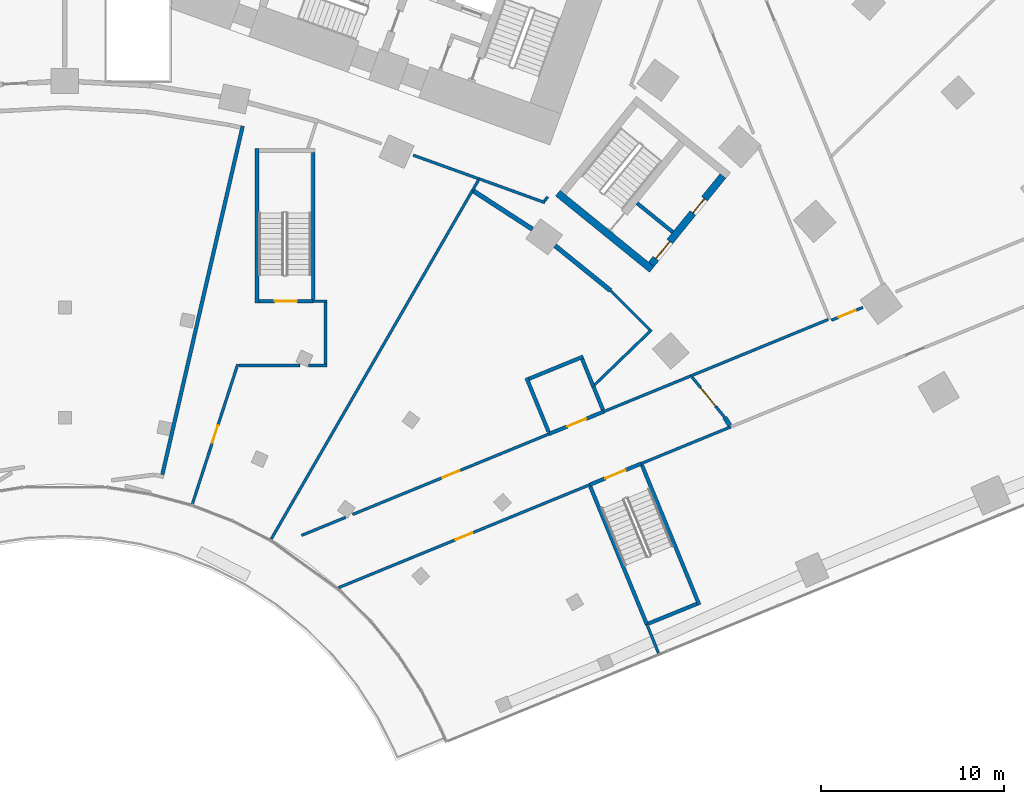
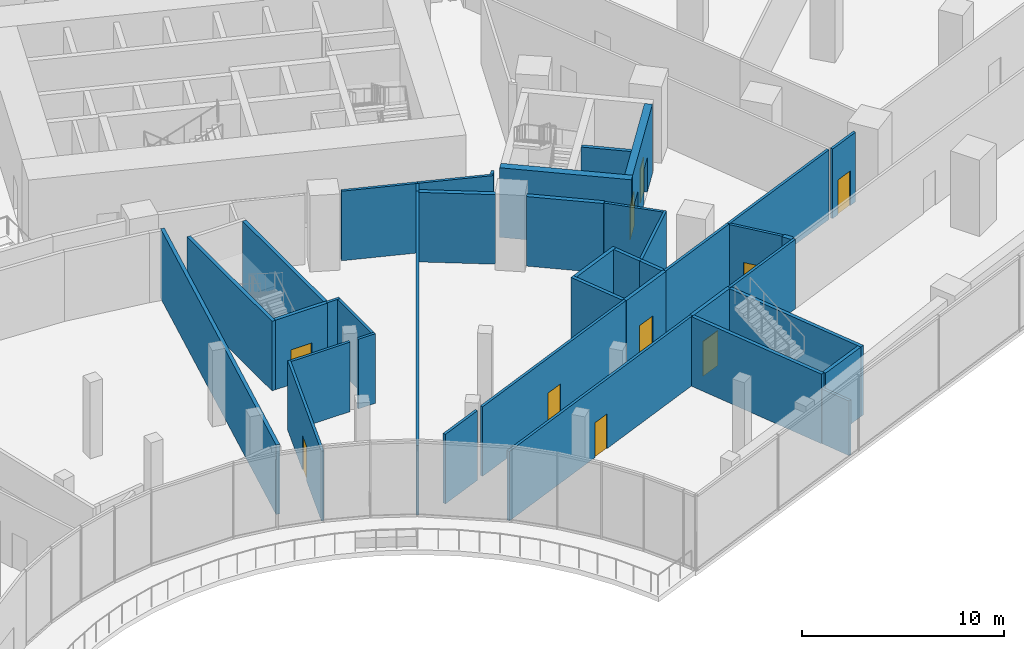
# One storey, part 25 of 40: 40 walls, 10 doors, 10 openings.
"""IFC4 building model written with IfcOpenShell, lengths in metres."""

from ifc_helpers import new_model, si_unit, direction, frame, frame_2d, origin, place, context, subcontext, project, spatial, rectangle, extrude, material, layer, layer_set, type_object, element, fill, save


model = new_model("IFC4")

# Units and contexts
model_context = context("Model", 3, precision=1e-05, world=origin(), true_north=direction((0.0, 1.0)))
body_context = subcontext(model_context, "Body", "Model", "MODEL_VIEW")
ifc_project = project(units=[si_unit("LENGTHUNIT", "METRE"), si_unit("AREAUNIT", "SQUARE_METRE"), si_unit("VOLUMEUNIT", "CUBIC_METRE"), si_unit("PLANEANGLEUNIT", "RADIAN"), si_unit("MASSUNIT", "GRAM", prefix="KILO")], contexts=[model_context])

# Site, building, storey
site_placement = place(None, origin())
site = spatial("IfcSite", under=ifc_project, at=site_placement, CompositionType="ELEMENT")
building_placement = place(site_placement, origin())
building = spatial("IfcBuilding", under=site, at=building_placement, Name="Stone Belt Terrace Tower", CompositionType="ELEMENT")
storey_placement = place(building_placement, frame((0.0, 0.0, 11.60009765625)))
storey = spatial("IfcBuildingStorey", under=building, at=storey_placement, Name="L02", CompositionType="ELEMENT", Elevation=11.60009765625)

# Walls
ifc_material_1 = material(Name="Concrete B30", Category="concrete")
ifc_layer_1 = layer(ifc_material_1, 0.25)
ifc_layer_set_1 = layer_set([ifc_layer_1], Name="Compartment wall 250")
wall_type_1 = type_object("IfcWallType", Name="Compartment wall 250", PredefinedType="SOLIDWALL", material=ifc_layer_set_1)
wall_1_placement = place(storey_placement, frame((22.282958984375, 38.44921875, 0.0), z_axis=(0.0, 0.0, 1.0), x_axis=(0.838936768681, -0.544228902351, 0.0)))
element("IfcWall", 1, at=wall_1_placement, inside=storey, type_object=wall_type_1, Name="Compartment wall L02 10", PredefinedType="SOLIDWALL", context=body_context, shape_type="SweptSolid", body=[
    extrude(rectangle(XDim=3.80908203125, YDim=0.25, at=frame_2d((1.904541015625, 0.0))), origin(), (0.0, 0.0, 1.0), 4.199951171875),
])
wall_2_placement = place(storey_placement, frame((26.72265625, 35.472412109375, 0.0), z_axis=(0.0, 0.0, 1.0), x_axis=(0.777272744525, -0.629163794746, 0.0)))
element("IfcWall", 2, at=wall_2_placement, inside=storey, type_object=wall_type_1, Name="Compartment wall L02 11", PredefinedType="SOLIDWALL", context=body_context, shape_type="SweptSolid", body=[
    extrude(rectangle(XDim=3.875244140625, YDim=0.25, at=frame_2d((1.9375, 0.0))), origin(), (0.0, 0.0, 1.0), 4.199951171875),
])
ifc_material_2 = material(Name="Fire-resistant glazing in steel frame", Category="steel")
ifc_layer_2 = layer(ifc_material_2, 0.25)
ifc_layer_set_2 = layer_set([ifc_layer_2], Name="Glazed compartment fire screen 250")
wall_type_2 = type_object("IfcWallType", Name="Glazed compartment fire screen 250", PredefinedType="PARTITIONING", material=ifc_layer_set_2)
wall_3_placement = place(storey_placement, frame((35.96337890625, 26.11474609375, 0.0), z_axis=(0.0, 0.0, 1.0), x_axis=(0.547453853433, -0.836835873013, 0.0)))
element("IfcWall", 3, at=wall_3_placement, inside=storey, type_object=wall_type_2, Name="Compartment fire screen L02 12", PredefinedType="PARTITIONING", context=body_context, shape_type="SweptSolid", body=[
    extrude(rectangle(XDim=0.5146484375, YDim=0.25, at=frame_2d((0.25732421875, 0.0))), origin(), (0.0, 0.0, 1.0), 4.199951171875),
])
ifc_material_3 = material(Name="Blockwork wall, plastered both faces", Category="masonry")
ifc_layer_3 = layer(ifc_material_3, 0.199951171875)
ifc_layer_set_3 = layer_set([ifc_layer_3], Name="Podium demising wall 200")
wall_type_3 = type_object("IfcWallType", Name="Podium demising wall 200", PredefinedType="PARTITIONING", material=ifc_layer_set_3)
wall_4_placement = place(storey_placement, frame((5.3125, 22.997314453125, 0.0), z_axis=(0.0, 0.0, 1.0), x_axis=(0.224629055361, 0.974444348071, 0.0)))
element("IfcWall", 4, at=wall_4_placement, inside=storey, type_object=wall_type_3, Name="Podium demising wall 200", PredefinedType="PARTITIONING", context=body_context, shape_type="SweptSolid", body=[
    extrude(rectangle(XDim=19.498291015625, YDim=0.199951171875, at=frame_2d((9.7490234375, 0.0))), origin(), (0.0, 0.0, 1.0), 4.199951171875),
])
ifc_material_4 = material(Name="Reinforced blockwork wall, plastered both faces", Category="masonry")
ifc_layer_4 = layer(ifc_material_4, 0.199951171875)
ifc_layer_set_4 = layer_set([ifc_layer_4], Name="Podium lift shaft wall 200")
wall_type_4 = type_object("IfcWallType", Name="Podium lift shaft wall 200", PredefinedType="SOLIDWALL", material=ifc_layer_set_4)
for number, where, z_axis, x_axis, name in (
    (5, (25.162109375, 28.272705078125, 0.0), (0.0, 0.0, 1.0), (0.378421783721, -0.925633271661, 0.0), "Podium lift shaft wall 200"),
    (6, (25.29248046875, 28.2177734375, 0.0), (0.0, 0.0, 1.0), (0.925660010793, 0.378356372246, 0.0), "Podium lift shaft wall 200"),
):
    element("IfcWall", number, at=place(storey_placement, frame(where, z_axis=z_axis, x_axis=x_axis)), inside=storey, type_object=wall_type_4, Name=name, PredefinedType="SOLIDWALL", context=body_context, shape_type="SweptSolid", body=[
        extrude(rectangle(XDim=3.197998046875, YDim=0.199951171875, at=frame_2d((1.59912109375, 0.0))), origin(), (0.0, 0.0, 1.0), 4.199951171875),
    ])

# Wall, opening, door
wall_5_placement = place(storey_placement, frame((26.409912109375, 25.219970703125, 0.0), z_axis=(0.0, 0.0, 1.0), x_axis=(0.925660010793, 0.378356372246, 0.0)))
wall_5 = element("IfcWall", 7, at=wall_5_placement, inside=storey, type_object=wall_type_4, Name="Podium lift shaft wall 200", PredefinedType="SOLIDWALL", context=body_context, shape_type="SweptSolid", body=[
    extrude(rectangle(XDim=3.197998046875, YDim=0.199951171875, at=frame_2d((1.59912109375, 0.0))), origin(), (0.0, 0.0, 1.0), 4.199951171875),
])
opening_1_placement = place(wall_5_placement, frame((1.048828125, 0.0, 0.0)))
opening_1 = element("IfcOpeningElement", 8, at=opening_1_placement, cuts=wall_5, Name="Opening L02-P10", PredefinedType="OPENING", context=body_context, shape_type="SweptSolid", body=[
    extrude(rectangle(XDim=1.10009765625, YDim=2.10009765625, at=frame_2d((0.550048828125, 1.050048828125))), frame((0.0, 0.10986328125, 0.0), z_axis=(0.0, -1.0, 0.0), x_axis=(1.0, 0.0, 0.0)), (0.0, 0.0, 1.0), 0.219970703125),
])
ifc_material_5 = material(Name="Stainless steel sliding landing door leaf", Category="steel")
door_type_1 = type_object("IfcDoorType", Name="Podium landing door 1100", OperationType="SLIDING_TO_LEFT", PredefinedType="DOOR", material=ifc_material_5)
door_1_placement = place(opening_1_placement, origin())
door_1 = element("IfcDoor", 9, at=door_1_placement, inside=storey, type_object=door_type_1, Name="Podium landing door 1100", OperationType="SLIDING_TO_LEFT", OverallHeight=2.10009765625, OverallWidth=1.10009765625, PredefinedType="DOOR", context=body_context, shape_type="SweptSolid", body=[
    extrude(rectangle(XDim=1.10009765625, YDim=2.10009765625, at=frame_2d((0.550048828125, 1.050048828125))), frame((0.0, 0.02490234375, 0.0), z_axis=(0.0, -1.0, 0.0), x_axis=(1.0, 0.0, 0.0)), (0.0, 0.0, 1.0), 0.050048828125),
])
fill(opening_1, door_1)

# Walls
wall_6_placement = place(storey_placement, frame((28.197509765625, 29.29736328125, 0.0), z_axis=(0.0, 0.0, 1.0), x_axis=(0.375479084277, -0.926830867672, 0.0)))
element("IfcWall", 10, at=wall_6_placement, inside=storey, type_object=wall_type_4, Name="Podium lift shaft wall 200", PredefinedType="SOLIDWALL", context=body_context, shape_type="SweptSolid", body=[
    extrude(rectangle(XDim=1.604736328125, YDim=0.199951171875, at=frame_2d((0.80224609375, 0.0))), origin(), (0.0, 0.0, 1.0), 4.199951171875),
])
wall_7_placement = place(storey_placement, frame((28.80419921875, 27.8095703125, 0.0), z_axis=(0.0, 0.0, 1.0), x_axis=(0.379425396031, -0.925222334818, 0.0)))
element("IfcWall", 11, at=wall_7_placement, inside=storey, type_object=wall_type_4, Name="Podium lift shaft wall 200", PredefinedType="SOLIDWALL", context=body_context, shape_type="SweptSolid", body=[
    extrude(rectangle(XDim=1.39111328125, YDim=0.199951171875, at=frame_2d((0.695556640625, 0.0))), origin(), (0.0, 0.0, 1.0), 4.199951171875),
])

# Wall, opening, door
ifc_material_6 = material(Name="Gypsum board on steel stud partition", Category="steel")
ifc_layer_5 = layer(ifc_material_6, 0.14990234375)
ifc_layer_set_5 = layer_set([ifc_layer_5], Name="Podium partition 150")
wall_type_5 = type_object("IfcWallType", Name="Podium partition 150", PredefinedType="PARTITIONING", material=ifc_layer_set_5)
wall_8_placement = place(storey_placement, frame((6.949951171875, 21.39990234375, 0.0), z_axis=(0.0, 0.0, 1.0), x_axis=(0.309028846815, 0.951052665122, 0.0)))
wall_8 = element("IfcWall", 12, at=wall_8_placement, inside=storey, type_object=wall_type_5, Name="Podium partition 150", PredefinedType="PARTITIONING", context=body_context, shape_type="SweptSolid", body=[
    extrude(rectangle(XDim=8.0068359375, YDim=0.14990234375, at=frame_2d((4.00341796875, 0.0))), origin(), (0.0, 0.0, 1.0), 4.199951171875),
])
opening_2_placement = place(wall_8_placement, frame((3.50341796875, 0.0, 0.0)))
opening_2 = element("IfcOpeningElement", 13, at=opening_2_placement, cuts=wall_8, Name="Opening L02-P28", PredefinedType="OPENING", context=body_context, shape_type="SweptSolid", body=[
    extrude(rectangle(XDim=1.0, YDim=2.10009765625, at=frame_2d((0.5, 1.050048828125))), frame((0.0, 0.0849609375, 0.0), z_axis=(0.0, -1.0, 0.0), x_axis=(1.0, 0.0, 0.0)), (0.0, 0.0, 1.0), 0.169921875),
])
ifc_material_7 = material(Name="Steel framed door leaf", Category="steel")
door_type_2 = type_object("IfcDoorType", Name="Podium door single 1000", OperationType="SINGLE_SWING_LEFT", PredefinedType="DOOR", material=ifc_material_7)
door_2_placement = place(opening_2_placement, origin())
door_2 = element("IfcDoor", 14, at=door_2_placement, inside=storey, type_object=door_type_2, Name="Podium door single 1000", OperationType="SINGLE_SWING_RIGHT", OverallHeight=2.10009765625, OverallWidth=1.0, PredefinedType="DOOR", context=body_context, shape_type="SweptSolid", body=[
    extrude(rectangle(XDim=1.0, YDim=2.10009765625, at=frame_2d((0.5, 1.050048828125))), frame((0.0, 0.02490234375, 0.0), z_axis=(0.0, -1.0, 0.0), x_axis=(1.0, 0.0, 0.0)), (0.0, 0.0, 1.0), 0.050048828125),
])
fill(opening_2, door_2)

# Walls
wall_9_placement = place(storey_placement, frame((9.47900390625, 28.93994140625, 0.0), z_axis=(0.0, 0.0, 1.0), x_axis=(1.0, 0.0, 0.0)))
element("IfcWall", 15, at=wall_9_placement, inside=storey, type_object=wall_type_5, Name="Podium partition 150", PredefinedType="PARTITIONING", context=body_context, shape_type="SweptSolid", body=[
    extrude(rectangle(XDim=3.343994140625, YDim=0.14990234375, at=frame_2d((1.671875, 0.0))), origin(), (0.0, 0.0, 1.0), 4.199951171875),
])
wall_10_placement = place(storey_placement, frame((13.28955078125, 28.93994140625, 0.0), z_axis=(0.0, 0.0, 1.0), x_axis=(1.0, 0.0, 0.0)))
element("IfcWall", 16, at=wall_10_placement, inside=storey, type_object=wall_type_5, Name="Podium partition 150", PredefinedType="PARTITIONING", context=body_context, shape_type="SweptSolid", body=[
    extrude(rectangle(XDim=0.9853515625, YDim=0.14990234375, at=frame_2d((0.49267578125, 0.0))), origin(), (0.0, 0.0, 1.0), 4.199951171875),
])
wall_11_placement = place(storey_placement, frame((11.25, 19.489990234375, 0.0), z_axis=(0.0, 0.0, 1.0), x_axis=(0.500010788345, 0.866019175041, 0.0)))
element("IfcWall", 17, at=wall_11_placement, inside=storey, type_object=wall_type_5, Name="Podium partition 150", PredefinedType="PARTITIONING", context=body_context, shape_type="SweptSolid", body=[
    extrude(rectangle(XDim=21.939453125, YDim=0.14990234375, at=frame_2d((10.9697265625, 0.0))), origin(), (0.0, 0.0, 1.0), 4.199951171875),
])
wall_12_placement = place(storey_placement, frame((12.90283203125, 19.68310546875, 0.0), z_axis=(0.0, 0.0, 1.0), x_axis=(0.925275358442, 0.379296073087, 0.0)))
element("IfcWall", 18, at=wall_12_placement, inside=storey, type_object=wall_type_5, Name="Podium partition 150", PredefinedType="PARTITIONING", context=body_context, shape_type="SweptSolid", body=[
    extrude(rectangle(XDim=2.593994140625, YDim=0.14990234375, at=frame_2d((1.296875, 0.0))), origin(), (0.0, 0.0, 1.0), 4.199951171875),
])

# Wall, opening, door
wall_13_placement = place(storey_placement, frame((15.68310546875, 20.82275390625, 0.0), z_axis=(0.0, 0.0, 1.0), x_axis=(0.925275335137, 0.37929612994, 0.0)))
wall_13 = element("IfcWall", 19, at=wall_13_placement, inside=storey, type_object=wall_type_5, Name="Podium partition 150", PredefinedType="PARTITIONING", context=body_context, shape_type="SweptSolid", body=[
    extrude(rectangle(XDim=11.593017578125, YDim=0.14990234375, at=frame_2d((5.79638671875, 0.0))), origin(), (0.0, 0.0, 1.0), 4.199951171875),
])
opening_3_placement = place(wall_13_placement, frame((5.29638671875, 0.0, 0.0)))
opening_3 = element("IfcOpeningElement", 20, at=opening_3_placement, cuts=wall_13, Name="Opening L02-P31", PredefinedType="OPENING", context=body_context, shape_type="SweptSolid", body=[
    extrude(rectangle(XDim=1.0, YDim=2.10009765625, at=frame_2d((0.5, 1.050048828125))), frame((0.0, 0.0849609375, 0.0), z_axis=(0.0, -1.0, 0.0), x_axis=(1.0, 0.0, 0.0)), (0.0, 0.0, 1.0), 0.169921875),
])
door_3_placement = place(opening_3_placement, origin())
door_3 = element("IfcDoor", 21, at=door_3_placement, inside=storey, type_object=door_type_2, Name="Podium door single 1000", OperationType="SINGLE_SWING_LEFT", OverallHeight=2.10009765625, OverallWidth=1.0, PredefinedType="DOOR", context=body_context, shape_type="SweptSolid", body=[
    extrude(rectangle(XDim=1.0, YDim=2.10009765625, at=frame_2d((0.5, 1.050048828125))), frame((0.0, 0.02490234375, 0.0), z_axis=(0.0, -1.0, 0.0), x_axis=(1.0, 0.0, 0.0)), (0.0, 0.0, 1.0), 0.050048828125),
])
fill(opening_3, door_3)

# Walls
wall_14_placement = place(storey_placement, frame((13.530029296875, 32.43994140625, 0.0), z_axis=(0.0, 0.0, 1.0), x_axis=(1.0, 0.0, 0.0)))
element("IfcWall", 22, at=wall_14_placement, inside=storey, type_object=wall_type_5, Name="Podium partition 150", PredefinedType="PARTITIONING", context=body_context, shape_type="SweptSolid", body=[
    extrude(rectangle(XDim=0.744873046875, YDim=0.14990234375, at=frame_2d((0.37255859375, 0.0))), origin(), (0.0, 0.0, 1.0), 4.199951171875),
])
wall_15_placement = place(storey_placement, frame((18.987060546875, 40.40869140625, 0.0), z_axis=(0.0, 0.0, 1.0), x_axis=(0.940763016755, -0.339064811365, 0.0)))
element("IfcWall", 23, at=wall_15_placement, inside=storey, type_object=wall_type_5, Name="Podium partition 150", PredefinedType="PARTITIONING", context=body_context, shape_type="SweptSolid", body=[
    extrude(rectangle(XDim=3.829833984375, YDim=0.14990234375, at=frame_2d((1.9150390625, 0.0))), origin(), (0.0, 0.0, 1.0), 4.199951171875),
])
wall_16_placement = place(storey_placement, frame((14.199951171875, 29.014892578125, 0.0), z_axis=(0.0, 0.0, 1.0), x_axis=(0.0, 1.0, 0.0)))
element("IfcWall", 24, at=wall_16_placement, inside=storey, type_object=wall_type_5, Name="Podium partition 150", PredefinedType="PARTITIONING", context=body_context, shape_type="SweptSolid", body=[
    extrude(rectangle(XDim=3.35009765625, YDim=0.14990234375, at=frame_2d((1.675048828125, 0.0))), origin(), (0.0, 0.0, 1.0), 4.199951171875),
])

# Wall, opening, door
wall_17_placement = place(storey_placement, frame((14.909912109375, 16.830078125, 0.0), z_axis=(0.0, 0.0, 1.0), x_axis=(0.925325735785, 0.379173156609, 0.0)))
wall_17 = element("IfcWall", 25, at=wall_17_placement, inside=storey, type_object=wall_type_5, Name="Podium partition 150", PredefinedType="PARTITIONING", context=body_context, shape_type="SweptSolid", body=[
    extrude(rectangle(XDim=14.794921875, YDim=0.14990234375, at=frame_2d((7.3974609375, 0.0))), origin(), (0.0, 0.0, 1.0), 4.199951171875),
])
opening_4_placement = place(wall_17_placement, frame((6.8974609375, 0.0, 0.0)))
opening_4 = element("IfcOpeningElement", 26, at=opening_4_placement, cuts=wall_17, Name="Opening L02-P19", PredefinedType="OPENING", context=body_context, shape_type="SweptSolid", body=[
    extrude(rectangle(XDim=1.0, YDim=2.10009765625, at=frame_2d((0.5, 1.050048828125))), frame((0.0, 0.0849609375, 0.0), z_axis=(0.0, -1.0, 0.0), x_axis=(1.0, 0.0, 0.0)), (0.0, 0.0, 1.0), 0.169921875),
])
door_4_placement = place(opening_4_placement, origin())
door_4 = element("IfcDoor", 27, at=door_4_placement, inside=storey, type_object=door_type_2, Name="Podium door single 1000", OperationType="SINGLE_SWING_LEFT", OverallHeight=2.10009765625, OverallWidth=1.0, PredefinedType="DOOR", context=body_context, shape_type="SweptSolid", body=[
    extrude(rectangle(XDim=1.0, YDim=2.10009765625, at=frame_2d((0.5, 1.050048828125))), frame((0.0, 0.02490234375, 0.0), z_axis=(0.0, -1.0, 0.0), x_axis=(1.0, 0.0, 0.0)), (0.0, 0.0, 1.0), 0.050048828125),
])
fill(opening_4, door_4)

# Walls
wall_18_placement = place(storey_placement, frame((22.219970703125, 38.489990234375, 0.0), z_axis=(0.0, 0.0, 1.0), x_axis=(0.502210187789, 0.864745585291, 0.0)))
element("IfcWall", 28, at=wall_18_placement, inside=storey, type_object=wall_type_5, Name="Podium partition 150", PredefinedType="PARTITIONING", context=body_context, shape_type="SweptSolid", body=[
    extrude(rectangle(XDim=0.631103515625, YDim=0.14990234375, at=frame_2d((0.3154296875, 0.0))), origin(), (0.0, 0.0, 1.0), 4.199951171875),
])
wall_19_placement = place(storey_placement, frame((22.59326171875, 39.115234375, 0.0), z_axis=(0.0, 0.0, 1.0), x_axis=(0.940327215747, -0.340271549391, 0.0)))
element("IfcWall", 29, at=wall_19_placement, inside=storey, type_object=wall_type_5, Name="Podium partition 150", PredefinedType="PARTITIONING", context=body_context, shape_type="SweptSolid", body=[
    extrude(rectangle(XDim=3.797607421875, YDim=0.14990234375, at=frame_2d((1.89892578125, 0.0))), origin(), (0.0, 0.0, 1.0), 4.199951171875),
])
wall_20_placement = place(storey_placement, frame((26.13916015625, 37.912109375, 0.0), z_axis=(0.0, 0.0, 1.0), x_axis=(0.621927558716, 0.783074780407, 0.0)))
element("IfcWall", 30, at=wall_20_placement, inside=storey, type_object=wall_type_5, Name="Podium partition 150", PredefinedType="PARTITIONING", context=body_context, shape_type="SweptSolid", body=[
    extrude(rectangle(XDim=0.290771484375, YDim=0.14990234375, at=frame_2d((0.1455078125, 0.0))), origin(), (0.0, 0.0, 1.0), 4.199951171875),
])
wall_21_placement = place(storey_placement, frame((28.87744140625, 27.894775390625, 0.0), z_axis=(0.0, 0.0, 1.0), x_axis=(0.719634331591, 0.694353244966, 0.0)))
element("IfcWall", 31, at=wall_21_placement, inside=storey, type_object=wall_type_5, Name="Podium partition 150", PredefinedType="PARTITIONING", context=body_context, shape_type="SweptSolid", body=[
    extrude(rectangle(XDim=4.316650390625, YDim=0.14990234375, at=frame_2d((2.158203125, 0.0))), origin(), (0.0, 0.0, 1.0), 4.199951171875),
])
wall_22_placement = place(storey_placement, frame((29.3701171875, 26.429931640625, 0.0), z_axis=(0.0, 0.0, 1.0), x_axis=(0.925357825015, 0.37909483732, 0.0)))
element("IfcWall", 32, at=wall_22_placement, inside=storey, type_object=wall_type_5, Name="Podium partition 150", PredefinedType="PARTITIONING", context=body_context, shape_type="SweptSolid", body=[
    extrude(rectangle(XDim=5.143798828125, YDim=0.14990234375, at=frame_2d((2.57177734375, 0.0))), origin(), (0.0, 0.0, 1.0), 4.199951171875),
])
wall_23_placement = place(storey_placement, frame((29.742919921875, 33.027099609375, 0.0), z_axis=(0.0, 0.0, 1.0), x_axis=(0.707106781187, -0.707106781187, 0.0)))
element("IfcWall", 33, at=wall_23_placement, inside=storey, type_object=wall_type_5, Name="Podium partition 150", PredefinedType="PARTITIONING", context=body_context, shape_type="SweptSolid", body=[
    extrude(rectangle(XDim=3.01806640625, YDim=0.14990234375, at=frame_2d((1.509033203125, 0.0))), origin(), (0.0, 0.0, 1.0), 4.199951171875),
])
wall_24_placement = place(storey_placement, frame((31.419921875, 23.60009765625, 0.0), z_axis=(0.0, 0.0, 1.0), x_axis=(0.92530860032, 0.379214970925, 0.0)))
element("IfcWall", 34, at=wall_24_placement, inside=storey, type_object=wall_type_5, Name="Podium partition 150", PredefinedType="PARTITIONING", context=body_context, shape_type="SweptSolid", body=[
    extrude(rectangle(XDim=5.274169921875, YDim=0.14990234375, at=frame_2d((2.63720703125, 0.0))), origin(), (0.0, 0.0, 1.0), 4.199951171875),
])
wall_25_placement = place(storey_placement, frame((31.72021484375, 14.83984375, 0.0), z_axis=(0.0, 0.0, 1.0), x_axis=(0.375412514618, -0.926857833688, 0.0)))
element("IfcWall", 35, at=wall_25_placement, inside=storey, type_object=wall_type_5, Name="Podium partition 150", PredefinedType="PARTITIONING", context=body_context, shape_type="SweptSolid", body=[
    extrude(rectangle(XDim=1.70458984375, YDim=0.14990234375, at=frame_2d((0.852294921875, 0.0))), origin(), (0.0, 0.0, 1.0), 3.2998046875),
])

# Wall, opening, door
wall_26_placement = place(storey_placement, frame((34.193115234375, 28.302001953125, 0.0), z_axis=(0.0, 0.0, 1.0), x_axis=(0.629303430663, -0.777159695401, 0.0)))
wall_26 = element("IfcWall", 36, at=wall_26_placement, inside=storey, type_object=wall_type_5, Name="Podium partition 150", PredefinedType="PARTITIONING", context=body_context, shape_type="SweptSolid", body=[
    extrude(rectangle(XDim=2.8037109375, YDim=0.14990234375, at=frame_2d((1.40185546875, 0.0))), origin(), (0.0, 0.0, 1.0), 4.199951171875),
])
opening_5_placement = place(wall_26_placement, frame((0.740966796875, 0.0, 0.0)))
opening_5 = element("IfcOpeningElement", 37, at=opening_5_placement, cuts=wall_26, Name="Opening L02-P41", PredefinedType="OPENING", context=body_context, shape_type="SweptSolid", body=[
    extrude(rectangle(XDim=1.300048828125, YDim=2.10009765625, at=frame_2d((0.64990234375, 1.050048828125))), frame((0.0, 0.0849609375, 0.0), z_axis=(0.0, -1.0, 0.0), x_axis=(1.0, 0.0, 0.0)), (0.0, 0.0, 1.0), 0.169921875),
])
ifc_material_8 = material(Name="Steel framed fire door leaf", Category="steel")
door_type_3 = type_object("IfcDoorType", Name="Fire door 1300 x 2100 EI 60", OperationType="SINGLE_SWING_LEFT", PredefinedType="DOOR", material=ifc_material_8)
door_5_placement = place(opening_5_placement, origin())
door_5 = element("IfcDoor", 38, at=door_5_placement, inside=storey, type_object=door_type_3, Name="Fire door 1300 x 2100 EI 60", OperationType="SINGLE_SWING_LEFT", OverallHeight=2.10009765625, OverallWidth=1.300048828125, PredefinedType="DOOR", context=body_context, shape_type="SweptSolid", body=[
    extrude(rectangle(XDim=1.300048828125, YDim=2.10009765625, at=frame_2d((0.64990234375, 1.050048828125))), frame((0.0, 0.02490234375, 0.0), z_axis=(0.0, -1.0, 0.0), x_axis=(1.0, 0.0, 0.0)), (0.0, 0.0, 1.0), 0.050048828125),
])
fill(opening_5, door_5)

# Wall
wall_27_placement = place(storey_placement, frame((34.1298828125, 28.3798828125, 0.0), z_axis=(0.0, 0.0, 1.0), x_axis=(0.925050526838, 0.379844076953, 0.0)))
element("IfcWall", 39, at=wall_27_placement, inside=storey, type_object=wall_type_5, Name="Podium partition 150", PredefinedType="PARTITIONING", context=body_context, shape_type="SweptSolid", body=[
    extrude(rectangle(XDim=8.081787109375, YDim=0.14990234375, at=frame_2d((4.041015625, 0.0))), origin(), (0.0, 0.0, 1.0), 4.199951171875),
])

# Wall, opening, door
wall_28_placement = place(storey_placement, frame((41.779296875, 31.408447265625, 0.0), z_axis=(0.0, 0.0, 1.0), x_axis=(0.925419228922, 0.378944917821, 0.0)))
wall_28 = element("IfcWall", 40, at=wall_28_placement, inside=storey, type_object=wall_type_5, Name="Podium partition 150", PredefinedType="PARTITIONING", context=body_context, shape_type="SweptSolid", body=[
    extrude(rectangle(XDim=1.858154296875, YDim=0.14990234375, at=frame_2d((0.92919921875, 0.0))), origin(), (0.0, 0.0, 1.0), 4.199951171875),
])
opening_6_placement = place(wall_28_placement, frame((0.42919921875, 0.0, 0.0)))
opening_6 = element("IfcOpeningElement", 41, at=opening_6_placement, cuts=wall_28, Name="Opening L02-P39", PredefinedType="OPENING", context=body_context, shape_type="SweptSolid", body=[
    extrude(rectangle(XDim=1.0, YDim=2.10009765625, at=frame_2d((0.5, 1.050048828125))), frame((0.0, 0.0849609375, 0.0), z_axis=(0.0, -1.0, 0.0), x_axis=(1.0, 0.0, 0.0)), (0.0, 0.0, 1.0), 0.169921875),
])
door_6_placement = place(opening_6_placement, origin())
door_6 = element("IfcDoor", 42, at=door_6_placement, inside=storey, type_object=door_type_2, Name="Podium door single 1000", OperationType="SINGLE_SWING_LEFT", OverallHeight=2.10009765625, OverallWidth=1.0, PredefinedType="DOOR", context=body_context, shape_type="SweptSolid", body=[
    extrude(rectangle(XDim=1.0, YDim=2.10009765625, at=frame_2d((0.5, 1.050048828125))), frame((0.0, 0.02490234375, 0.0), z_axis=(0.0, -1.0, 0.0), x_axis=(1.0, 0.0, 0.0)), (0.0, 0.0, 1.0), 0.050048828125),
])
fill(opening_6, door_6)

# Wall
ifc_layer_6 = layer(ifc_material_1, 0.199951171875)
ifc_layer_set_6 = layer_set([ifc_layer_6], Name="Podium stair and shaft wall 200")
wall_type_6 = type_object("IfcWallType", Name="Podium stair and shaft wall 200", PredefinedType="SOLIDWALL", material=ifc_layer_set_6)
wall_29_placement = place(storey_placement, frame((10.469970703125, 32.340087890625, 0.0), z_axis=(0.0, 0.0, 1.0), x_axis=(0.0, 1.0, 0.0)))
element("IfcWall", 43, at=wall_29_placement, inside=storey, type_object=wall_type_6, Name="Podium stair and shaft wall 200", PredefinedType="SOLIDWALL", context=body_context, shape_type="SweptSolid", body=[
    extrude(rectangle(XDim=8.419921875, YDim=0.199951171875, at=frame_2d((4.2099609375, 0.0))), origin(), (0.0, 0.0, 1.0), 4.199951171875),
])

# Wall, opening, door
wall_30_placement = place(storey_placement, frame((10.570068359375, 32.43994140625, 0.0), z_axis=(0.0, 0.0, 1.0), x_axis=(1.0, 0.0, 0.0)))
wall_30 = element("IfcWall", 44, at=wall_30_placement, inside=storey, type_object=wall_type_6, Name="Podium stair and shaft wall 200", PredefinedType="SOLIDWALL", context=body_context, shape_type="SweptSolid", body=[
    extrude(rectangle(XDim=2.9599609375, YDim=0.199951171875, at=frame_2d((1.47998046875, 0.0))), origin(), (0.0, 0.0, 1.0), 4.199951171875),
])
opening_7_placement = place(wall_30_placement, frame((0.8798828125, 0.0, 0.0)))
opening_7 = element("IfcOpeningElement", 45, at=opening_7_placement, cuts=wall_30, Name="Opening L02-P06", PredefinedType="OPENING", context=body_context, shape_type="SweptSolid", body=[
    extrude(rectangle(XDim=1.199951171875, YDim=2.10009765625, at=frame_2d((0.60009765625, 1.050048828125))), frame((0.0, 0.10986328125, 0.0), z_axis=(0.0, -1.0, 0.0), x_axis=(1.0, 0.0, 0.0)), (0.0, 0.0, 1.0), 0.219970703125),
])
door_type_4 = type_object("IfcDoorType", Name="Podium door fire stair 1200", OperationType="SINGLE_SWING_LEFT", PredefinedType="DOOR", material=ifc_material_7)
door_7_placement = place(opening_7_placement, origin())
door_7 = element("IfcDoor", 46, at=door_7_placement, inside=storey, type_object=door_type_4, Name="Podium door fire stair 1200", OperationType="SINGLE_SWING_RIGHT", OverallHeight=2.10009765625, OverallWidth=1.199951171875, PredefinedType="DOOR", context=body_context, shape_type="SweptSolid", body=[
    extrude(rectangle(XDim=1.199951171875, YDim=2.10009765625, at=frame_2d((0.60009765625, 1.050048828125))), frame((0.0, 0.02490234375, 0.0), z_axis=(0.0, -1.0, 0.0), x_axis=(1.0, 0.0, 0.0)), (0.0, 0.0, 1.0), 0.050048828125),
])
fill(opening_7, door_7)

# Wall
wall_31_placement = place(storey_placement, frame((13.530029296875, 32.5400390625, 0.0), z_axis=(0.0, 0.0, 1.0), x_axis=(0.0, 1.0, 0.0)))
element("IfcWall", 47, at=wall_31_placement, inside=storey, type_object=wall_type_6, Name="Podium stair and shaft wall 200", PredefinedType="SOLIDWALL", context=body_context, shape_type="SweptSolid", body=[
    extrude(rectangle(XDim=8.02001953125, YDim=0.199951171875, at=frame_2d((4.010009765625, 0.0))), origin(), (0.0, 0.0, 1.0), 4.199951171875),
])

# Wall, opening, door
wall_32_placement = place(storey_placement, frame((28.60009765625, 22.43994140625, 0.0), z_axis=(0.0, 0.0, 1.0), x_axis=(0.924787502584, 0.380484001063, 0.0)))
wall_32 = element("IfcWall", 48, at=wall_32_placement, inside=storey, type_object=wall_type_6, Name="Podium stair and shaft wall 200", PredefinedType="SOLIDWALL", context=body_context, shape_type="SweptSolid", body=[
    extrude(rectangle(XDim=3.049072265625, YDim=0.199951171875, at=frame_2d((1.5244140625, 0.0))), origin(), (0.0, 0.0, 1.0), 4.199951171875),
])
opening_8_placement = place(wall_32_placement, frame((0.924560546875, 0.0, 0.0)))
opening_8 = element("IfcOpeningElement", 49, at=opening_8_placement, cuts=wall_32, Name="Opening L02-P03", PredefinedType="OPENING", context=body_context, shape_type="SweptSolid", body=[
    extrude(rectangle(XDim=1.199951171875, YDim=2.10009765625, at=frame_2d((0.60009765625, 1.050048828125))), frame((0.0, 0.10986328125, 0.0), z_axis=(0.0, -1.0, 0.0), x_axis=(1.0, 0.0, 0.0)), (0.0, 0.0, 1.0), 0.219970703125),
])
door_8_placement = place(opening_8_placement, origin())
door_8 = element("IfcDoor", 50, at=door_8_placement, inside=storey, type_object=door_type_4, Name="Podium door fire stair 1200", OperationType="SINGLE_SWING_LEFT", OverallHeight=2.10009765625, OverallWidth=1.199951171875, PredefinedType="DOOR", context=body_context, shape_type="SweptSolid", body=[
    extrude(rectangle(XDim=1.199951171875, YDim=2.10009765625, at=frame_2d((0.60009765625, 1.050048828125))), frame((0.0, 0.02490234375, 0.0), z_axis=(0.0, -1.0, 0.0), x_axis=(1.0, 0.0, 0.0)), (0.0, 0.0, 1.0), 0.050048828125),
])
fill(opening_8, door_8)

# Walls
wall_33_placement = place(storey_placement, frame((28.637939453125, 22.347412109375, 0.0), z_axis=(0.0, 0.0, 1.0), x_axis=(0.379778190266, -0.925077578476, 0.0)))
element("IfcWall", 51, at=wall_33_placement, inside=storey, type_object=wall_type_6, Name="Podium stair and shaft wall 200", PredefinedType="SOLIDWALL", context=body_context, shape_type="SweptSolid", body=[
    extrude(rectangle(XDim=8.115234375, YDim=0.199951171875, at=frame_2d((4.0576171875, 0.0))), origin(), (0.0, 0.0, 1.0), 4.199951171875),
])
wall_34_placement = place(storey_placement, frame((31.4580078125, 23.507568359375, 0.0), z_axis=(0.0, 0.0, 1.0), x_axis=(0.379325073911, -0.925263469668, 0.0)))
element("IfcWall", 52, at=wall_34_placement, inside=storey, type_object=wall_type_6, Name="Podium stair and shaft wall 200", PredefinedType="SOLIDWALL", context=body_context, shape_type="SweptSolid", body=[
    extrude(rectangle(XDim=8.224853515625, YDim=0.199951171875, at=frame_2d((4.1123046875, 0.0))), origin(), (0.0, 0.0, 1.0), 4.199951171875),
])
wall_35_placement = place(storey_placement, frame((31.8125, 14.877685546875, 0.0), z_axis=(0.0, 0.0, 1.0), x_axis=(0.925976847494, 0.377580293322, 0.0)))
element("IfcWall", 53, at=wall_35_placement, inside=storey, type_object=wall_type_6, Name="Podium stair and shaft wall 200", PredefinedType="SOLIDWALL", context=body_context, shape_type="SweptSolid", body=[
    extrude(rectangle(XDim=2.845703125, YDim=0.199951171875, at=frame_2d((1.4228515625, 0.0))), origin(), (0.0, 0.0, 1.0), 4.199951171875),
])
ifc_material_9 = material(Name="Concrete masonry block", Category="masonry")
ifc_layer_7 = layer(ifc_material_9, 0.199951171875)
ifc_layer_set_7 = layer_set([ifc_layer_7], Name="Rated lobby wall 200")
wall_type_7 = type_object("IfcWallType", Name="Rated lobby wall 200", PredefinedType="PARTITIONING", material=ifc_layer_set_7)
wall_36_placement = place(storey_placement, frame((31.190673828125, 37.79296875, 0.0), z_axis=(0.0, 0.0, 1.0), x_axis=(0.776370830301, -0.630276394813, 0.0)))
element("IfcWall", 54, at=wall_36_placement, inside=storey, type_object=wall_type_7, Name="Exit stair ST3B wall", PredefinedType="PARTITIONING", context=body_context, shape_type="SweptSolid", body=[
    extrude(rectangle(XDim=2.5, YDim=0.199951171875, at=frame_2d((1.25, 0.0))), origin(), (0.0, 0.0, 1.0), 4.199951171875),
])
ifc_material_10 = material(Name="Concrete B80", Category="concrete")
ifc_layer_8 = layer(ifc_material_10, 0.39990234375)
ifc_layer_set_8 = layer_set([ifc_layer_8], Name="Stair enclosure wall 400")
wall_type_8 = type_object("IfcWallType", Name="Stair enclosure wall 400", PredefinedType="SHEAR", material=ifc_layer_set_8)
wall_37_placement = place(storey_placement, frame((26.868408203125, 38.3388671875, 0.0), z_axis=(0.0, 0.0, 1.0), x_axis=(0.776428452498, -0.630205409491, 0.0)))
element("IfcWall", 55, at=wall_37_placement, inside=storey, type_object=wall_type_8, Name="Exit stair ST3B wall", PredefinedType="SHEAR", context=body_context, shape_type="SweptSolid", body=[
    extrude(rectangle(XDim=6.60009765625, YDim=0.39990234375, at=frame_2d((3.300048828125, 0.0))), origin(), (0.0, 0.0, 1.0), 4.199951171875),
])

# Wall, openings, doors
wall_38_placement = place(storey_placement, frame((31.963623046875, 34.460693359375, 0.0), z_axis=(0.0, 0.0, 1.0), x_axis=(0.630192283849, 0.776439106033, 0.0)))
wall_38 = element("IfcWall", 56, at=wall_38_placement, inside=storey, type_object=wall_type_8, Name="Exit stair ST3B wall", PredefinedType="SHEAR", context=body_context, shape_type="SweptSolid", body=[
    extrude(rectangle(XDim=6.199951171875, YDim=0.39990234375, at=frame_2d((3.10009765625, 0.0))), origin(), (0.0, 0.0, 1.0), 4.199951171875),
])
opening_9_placement = place(wall_38_placement, frame((0.39990234375, 0.0, 0.0)))
opening_9 = element("IfcOpeningElement", 57, at=opening_9_placement, cuts=wall_38, Name="Opening L02-C23", PredefinedType="OPENING", context=body_context, shape_type="SweptSolid", body=[
    extrude(rectangle(XDim=1.199951171875, YDim=2.10009765625, at=frame_2d((0.60009765625, 1.050048828125))), frame((0.0, 0.2099609375, 0.0), z_axis=(0.0, -1.0, 0.0), x_axis=(1.0, 0.0, 0.0)), (0.0, 0.0, 1.0), 0.419921875),
])
opening_10_placement = place(wall_38_placement, frame((3.60009765625, 0.0, 0.0)))
opening_10 = element("IfcOpeningElement", 58, at=opening_10_placement, cuts=wall_38, Name="Opening L02-C24", PredefinedType="OPENING", context=body_context, shape_type="SweptSolid", body=[
    extrude(rectangle(XDim=1.0, YDim=2.10009765625, at=frame_2d((0.5, 1.050048828125))), frame((0.0, 0.2099609375, 0.0), z_axis=(0.0, -1.0, 0.0), x_axis=(1.0, 0.0, 0.0)), (0.0, 0.0, 1.0), 0.419921875),
])
ifc_material_11 = material(Name="Timber door leaf", Category="wood")
door_type_5 = type_object("IfcDoorType", Name="Core room door 1000", OperationType="SINGLE_SWING_LEFT", PredefinedType="DOOR", material=ifc_material_11)
door_9_placement = place(opening_10_placement, origin())
door_9 = element("IfcDoor", 59, at=door_9_placement, inside=storey, type_object=door_type_5, Name="Door to stair pressurisation plant room ST3B", OperationType="SINGLE_SWING_LEFT", OverallHeight=2.10009765625, OverallWidth=1.0, PredefinedType="DOOR", context=body_context, shape_type="SweptSolid", body=[
    extrude(rectangle(XDim=1.0, YDim=2.10009765625, at=frame_2d((0.5, 1.050048828125))), frame((0.0, 0.02490234375, 0.0), z_axis=(0.0, -1.0, 0.0), x_axis=(1.0, 0.0, 0.0)), (0.0, 0.0, 1.0), 0.050048828125),
])
fill(opening_10, door_9)
ifc_material_12 = material(Name="Steel door leaf", Category="steel")
door_type_6 = type_object("IfcDoorType", Name="Stair airlock door 1200", OperationType="SINGLE_SWING_LEFT", PredefinedType="DOOR", material=ifc_material_12)
door_10_placement = place(opening_9_placement, origin())
door_10 = element("IfcDoor", 60, at=door_10_placement, inside=storey, type_object=door_type_6, Name="Stair airlock door ST3B", OperationType="SINGLE_SWING_LEFT", OverallHeight=2.10009765625, OverallWidth=1.199951171875, PredefinedType="DOOR", context=body_context, shape_type="SweptSolid", body=[
    extrude(rectangle(XDim=1.199951171875, YDim=2.10009765625, at=frame_2d((0.60009765625, 1.050048828125))), frame((0.0, 0.02490234375, 0.0), z_axis=(0.0, -1.0, 0.0), x_axis=(1.0, 0.0, 0.0)), (0.0, 0.0, 1.0), 0.050048828125),
])
fill(opening_9, door_10)

save(model, "model.ifc")
